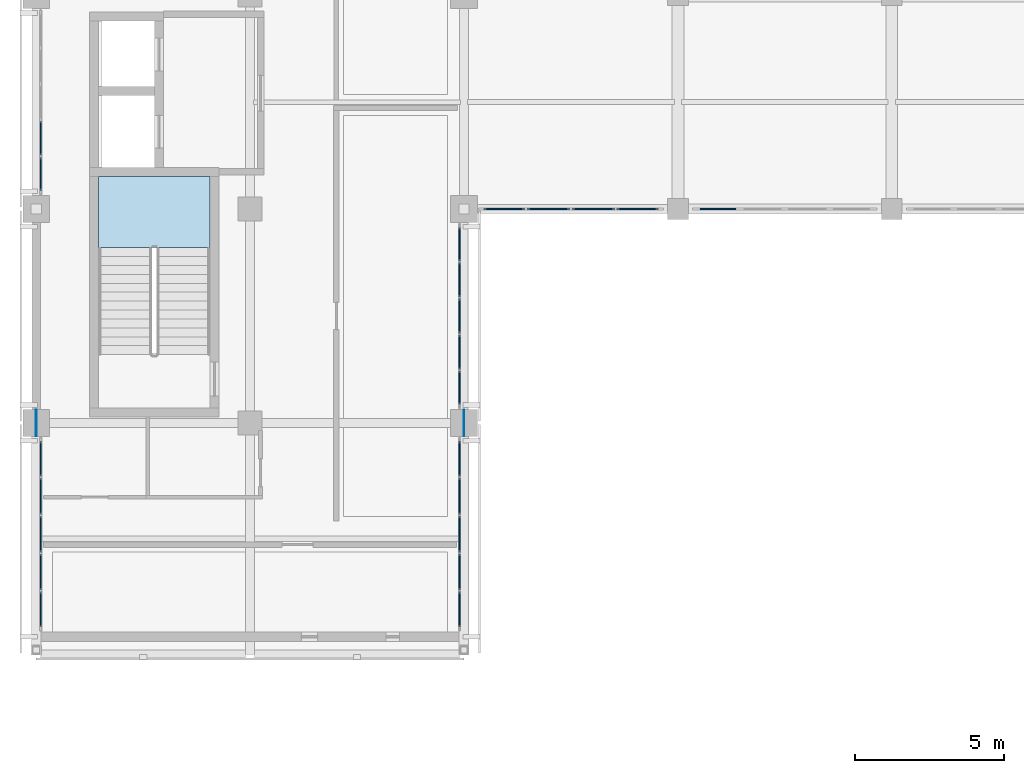
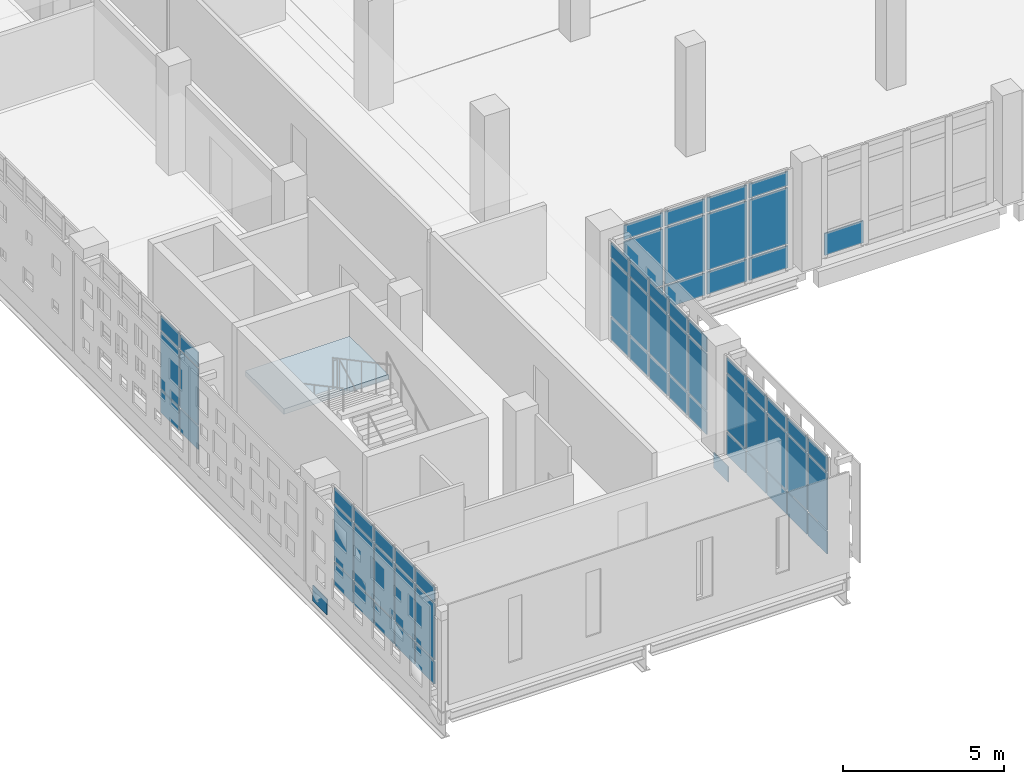
# One storey, part 27 of 62: 66 plates, 1 slab, 7 elements without a shape of their own.
"""IFC4 building model written with IfcOpenShell, lengths in metres."""

import ifcopenshell
import ifcopenshell.guid

model = None  # the IFC model being written
_history = None  # IfcOwnerHistory: only IFC2X3 demands one
_inside = {}  # id of a spatial element -> (the spatial element, [elements in it])
_under = {}  # id of a project, library or spatial element -> (it, [spatial elements below it])
_declared = {}  # id of a project -> (the project, [libraries it declares])
_typed = {}  # id of a type object -> (the type object, [elements of that type])
_made_of = {}  # id of a material, layer set ... -> (it, [elements and type objects made of it])


def new_model(schema):
    """Start an empty IFC model of exactly this schema.

    Asked for "IFC4X3", IfcOpenShell would pick the latest addendum, in which some entities
    have other attributes; the version numbers below select the first issue.
    IFC2X3 requires an IfcOwnerHistory on every rooted entity: one is made here for all.
    """
    global model, _history
    if schema == "IFC4X3":
        model = ifcopenshell.file(schema_version=(4, 3, 0, 0))
    else:
        model = ifcopenshell.file(schema=schema)
    _inside.clear()
    _under.clear()
    _declared.clear()
    _typed.clear()
    _made_of.clear()
    _history = None
    if model.schema == "IFC2X3":
        org = make("IfcOrganization", Name="unknown")
        user = make(
            "IfcPersonAndOrganization",
            ThePerson=make("IfcPerson", FamilyName="unknown"),
            TheOrganization=org,
        )
        app = make(
            "IfcApplication",
            ApplicationDeveloper=org,
            Version="unknown",
            ApplicationFullName="unknown",
            ApplicationIdentifier="unknown",
        )
        _history = make(
            "IfcOwnerHistory",
            OwningUser=user,
            OwningApplication=app,
            ChangeAction="ADDED",
            CreationDate=0,
        )
    return model


def make(cls, **values):
    """One entity of the class cls with the attributes given. An attribute that is None is left unset."""
    return model.create_entity(
        cls, **{name: value for name, value in values.items() if value is not None}
    )


def rooted(cls, **values):
    """An entity with a GlobalId (a new one), such as an element, a storey or a relation."""
    return make(cls, GlobalId=ifcopenshell.guid.new(), OwnerHistory=_history, **values)


def si_unit(unit_type, name, prefix=None):
    """IfcSIUnit, for example si_unit("LENGTHUNIT", "METRE", prefix="MILLI")."""
    return make("IfcSIUnit", UnitType=unit_type, Prefix=prefix, Name=name)


def assignment(units):
    """IfcUnitAssignment: the units of a project."""
    return None if units is None else make("IfcUnitAssignment", Units=units)


def point(xyz):
    """IfcCartesianPoint."""
    return None if xyz is None else make("IfcCartesianPoint", Coordinates=xyz)


def direction(xyz):
    """IfcDirection."""
    return None if xyz is None else make("IfcDirection", DirectionRatios=xyz)


def frame(location, z_axis=None, x_axis=None):
    """IfcAxis2Placement3D, a coordinate frame: its origin and axes. An axis left out is left unset."""
    return make(
        "IfcAxis2Placement3D",
        Location=point(location),
        Axis=direction(z_axis),
        RefDirection=direction(x_axis),
    )


def frame_2d(location, x_axis=None):
    """IfcAxis2Placement2D, a coordinate frame in the plane: its origin and x axis."""
    return make(
        "IfcAxis2Placement2D", Location=point(location), RefDirection=direction(x_axis)
    )


def origin():
    """The frame at (0, 0, 0) with its axes left unset."""
    return frame((0.0, 0.0, 0.0))


def origin_2d():
    """The frame at (0, 0) in the plane with its x axis left unset."""
    return frame_2d((0.0, 0.0))


def place(relative_to, where):
    """IfcLocalPlacement: puts the frame where relative to a parent placement (None: the world)."""
    return make(
        "IfcLocalPlacement", PlacementRelTo=relative_to, RelativePlacement=where
    )


def context(
    kind, dimensions, precision=None, world=None, true_north=None, identifier=None
):
    """IfcGeometricRepresentationContext, for example the 3D "Model" context."""
    return make(
        "IfcGeometricRepresentationContext",
        ContextIdentifier=identifier,
        ContextType=kind,
        CoordinateSpaceDimension=dimensions,
        Precision=precision,
        WorldCoordinateSystem=world,
        TrueNorth=true_north,
    )


def subcontext(parent, identifier, kind, view, scale=None):
    """IfcGeometricRepresentationSubContext, for example "Body" below "Model"."""
    return make(
        "IfcGeometricRepresentationSubContext",
        ContextIdentifier=identifier,
        ContextType=kind,
        ParentContext=parent,
        TargetScale=scale,
        TargetView=view,
    )


def project(units=None, contexts=None):
    """IfcProject with its units and contexts."""
    return rooted(
        "IfcProject",
        Name="project",
        RepresentationContexts=contexts,
        UnitsInContext=assignment(units),
    )


def spatial(cls, under=None, at=None, **own):
    """A site, building, storey or space (cls), placed at a placement, below another one or the project."""
    s = rooted(cls, ObjectPlacement=at, **own)
    if under is not None:
        _under.setdefault(under.id(), (under, []))[1].append(s)
    return s


def polyline(points):
    """IfcPolyline through the points."""
    return make("IfcPolyline", Points=[point(p) for p in points])


def profile(cls, at=None, kind="AREA", **sizes):
    """A parametric profile (cls). Its sizes go by their IFC names, for example OverallWidth=200.0."""
    return make(cls, ProfileType=kind, Position=at, **sizes)


def rectangle(**sizes):
    """IfcRectangleProfileDef."""
    return profile("IfcRectangleProfileDef", **sizes)


def outline(outer, holes=None, kind="AREA"):
    """IfcArbitraryClosedProfileDef: a profile drawn as a closed curve; with holes, ...WithVoids."""
    if holes is None:
        return make("IfcArbitraryClosedProfileDef", ProfileType=kind, OuterCurve=outer)
    return make(
        "IfcArbitraryProfileDefWithVoids",
        ProfileType=kind,
        OuterCurve=outer,
        InnerCurves=holes,
    )


def extrude(swept, where, along, depth):
    """IfcExtrudedAreaSolid: the profile swept, set in the frame where, extruded along a direction by depth."""
    return make(
        "IfcExtrudedAreaSolid",
        SweptArea=swept,
        Position=where,
        ExtrudedDirection=direction(along),
        Depth=depth,
    )


def shape(context_of_items, identifier, shape_type, items):
    """IfcShapeRepresentation: the items that make up one representation, for example the "Body"."""
    return make(
        "IfcShapeRepresentation",
        ContextOfItems=context_of_items,
        RepresentationIdentifier=identifier,
        RepresentationType=shape_type,
        Items=items,
    )


def material(Name=None, Category=None):
    """IfcMaterial."""
    return make("IfcMaterial", Name=Name, Category=Category)


def layer(
    of_material, thickness, ventilated=None, Name=None, Category=None, Priority=None
):
    """IfcMaterialLayer: one layer of a wall or slab, of a material (None: an air gap)."""
    return make(
        "IfcMaterialLayer",
        Material=of_material,
        LayerThickness=thickness,
        IsVentilated=ventilated,
        Name=Name,
        Category=Category,
        Priority=Priority,
    )


def layer_set(layers, Name=None):
    """IfcMaterialLayerSet."""
    return make("IfcMaterialLayerSet", MaterialLayers=layers, LayerSetName=Name)


def made_of(thing, what):
    """Note that an element or type object is made of a material, layer set ...; save() writes the relation."""
    if what is not None:
        _made_of.setdefault(what.id(), (what, []))[1].append(thing)
    return thing


def type_object(cls, material=None, **own):
    """A type object (cls), such as IfcWallType, which elements share."""
    return made_of(rooted(cls, **own), material)


def element(
    cls,
    number,
    at=None,
    inside=None,
    cuts=None,
    type_object=None,
    material=None,
    context=None,
    identifier="Body",
    shape_type=None,
    held_by="IfcProductDefinitionShape",
    body=None,
    shapes=None,
    **own,
):
    """One element of the class cls, such as IfcWall. Its Tag is "e" and its number.

    at: its placement. inside: the storey or other place that contains it. cuts: it is an
    opening in that element (IfcRelVoidsElement). A single representation is given by context,
    identifier, shape_type and body (its items); several are given by shapes. held_by: the class
    of the entity that holds the representations. save() writes the other relations.
    """
    e = rooted(cls, Tag="e%d" % number, ObjectPlacement=at, **own)
    if body is not None:
        shapes = [shape(context, identifier, shape_type, body)]
    if shapes is not None:
        e.Representation = make(held_by, Representations=shapes)
    if inside is not None:
        _inside.setdefault(inside.id(), (inside, []))[1].append(e)
    if cuts is not None:
        rooted(
            "IfcRelVoidsElement", RelatingBuildingElement=cuts, RelatedOpeningElement=e
        )
    if type_object is not None:
        _typed.setdefault(type_object.id(), (type_object, []))[1].append(e)
    return made_of(e, material)


def aggregate(whole, parts):
    """IfcRelAggregates: a whole, such as a stair, and the parts it consists of."""
    return rooted("IfcRelAggregates", RelatingObject=whole, RelatedObjects=parts)


def save(model, path):
    """Write the relations noted so far, then the file.

    IfcRelAggregates (storeys below a building ...), IfcRelContainedInSpatialStructure (elements
    in a storey), IfcRelDefinesByType, IfcRelAssociatesMaterial and IfcRelDeclares: one each for
    every whole, place, type object, material and project.
    """
    for whole, parts in _under.values():
        aggregate(whole, parts)
    for where, things in _inside.values():
        rooted(
            "IfcRelContainedInSpatialStructure",
            RelatedElements=things,
            RelatingStructure=where,
        )
    for kind, things in _typed.values():
        rooted("IfcRelDefinesByType", RelatedObjects=things, RelatingType=kind)
    for what, things in _made_of.values():
        rooted("IfcRelAssociatesMaterial", RelatedObjects=things, RelatingMaterial=what)
    for by, libraries in _declared.values():
        rooted("IfcRelDeclares", RelatingContext=by, RelatedDefinitions=libraries)
    model.write(path)


model = new_model("IFC4")

# Units and contexts
model_context = context("Model", 3, precision=1e-05, world=origin(), true_north=direction((0.0, 1.0)))
body_context = subcontext(model_context, "Body", "Model", "MODEL_VIEW")
ifc_project = project(units=[si_unit("LENGTHUNIT", "METRE"), si_unit("AREAUNIT", "SQUARE_METRE"), si_unit("VOLUMEUNIT", "CUBIC_METRE"), si_unit("PLANEANGLEUNIT", "RADIAN"), si_unit("MASSUNIT", "GRAM", prefix="KILO")], contexts=[model_context])

# Site, building, storey
site_placement = place(None, origin())
site = spatial("IfcSite", under=ifc_project, at=site_placement, CompositionType="ELEMENT")
building_placement = place(site_placement, origin())
building = spatial("IfcBuilding", under=site, at=building_placement, Name="Valkovuoma Quantum and Materials Research Institute", CompositionType="ELEMENT")
storey_placement = place(building_placement, frame((0.0, 0.0, 8.9599609375)))
storey = spatial("IfcBuildingStorey", under=building, at=storey_placement, Name="L02", CompositionType="ELEMENT", Elevation=8.9599609375)

# Curtain wall, plates
ifc_material_1 = material(Name="Thermally broken aluminium and triple low-E glazing", Category="aluminium")
ifc_layer_1 = layer(ifc_material_1, 0.219970703125)
ifc_layer_set_1 = layer_set([ifc_layer_1], Name="Thermally broken aluminium and triple low-E glazing")
curtain_wall_type_1 = type_object("IfcCurtainWallType", Name="CW-CW-01", PredefinedType="NOTDEFINED", material=ifc_layer_set_1)
curtain_wall_1_placement = place(storey_placement, origin())
curtain_wall_1 = element("IfcCurtainWall", 1, at=curtain_wall_1_placement, inside=storey, type_object=curtain_wall_type_1, Name="L02 curtain wall 018", PredefinedType="NOTDEFINED")
ifc_material_2 = material(Name="Triple low-E argon insulating glass", Category="glass")
ifc_layer_2 = layer(ifc_material_2, 0.035888671875)
ifc_layer_set_2 = layer_set([ifc_layer_2], Name="Triple low-E argon insulating glass")
plate_type_1 = type_object("IfcPlateType", Name="CWPanel-CWP-01", PredefinedType="CURTAIN_PANEL", material=ifc_layer_set_2)
plate_1_placement = place(storey_placement, frame((0.14990234375, 22.521728515625, 0.06494140625), z_axis=(0.0, 0.0, 1.0), x_axis=(0.0, 1.0, 0.0)))
plate_1 = element("IfcPlate", 2, at=plate_1_placement, type_object=plate_type_1, Name="CW-01 panel 1.1", PredefinedType="CURTAIN_PANEL", context=body_context, shape_type="SweptSolid", body=[
    extrude(rectangle(XDim=1.177490234375, YDim=0.035888671875, at=origin_2d()), origin(), (0.0, 0.0, 1.0), 0.8525390625),
])
plate_2_placement = place(storey_placement, frame((0.14990234375, 22.521728515625, 0.982421875), z_axis=(0.0, 0.0, 1.0), x_axis=(0.0, 1.0, 0.0)))
plate_2 = element("IfcPlate", 3, at=plate_2_placement, type_object=plate_type_1, Name="CW-01 panel 1.2", PredefinedType="CURTAIN_PANEL", context=body_context, shape_type="SweptSolid", body=[
    extrude(rectangle(XDim=1.177490234375, YDim=0.035888671875, at=origin_2d()), origin(), (0.0, 0.0, 1.0), 2.14501953125),
])
plate_3_placement = place(storey_placement, frame((0.14990234375, 22.521728515625, 3.1923828125), z_axis=(0.0, 0.0, 1.0), x_axis=(0.0, 1.0, 0.0)))
plate_3 = element("IfcPlate", 4, at=plate_3_placement, type_object=plate_type_1, Name="CW-01 panel 1.3", PredefinedType="CURTAIN_PANEL", context=body_context, shape_type="SweptSolid", body=[
    extrude(rectangle(XDim=1.177490234375, YDim=0.035888671875, at=origin_2d()), origin(), (0.0, 0.0, 1.0), 0.552490234375),
])
plate_4_placement = place(storey_placement, frame((0.14990234375, 23.780517578125, 0.06494140625), z_axis=(0.0, 0.0, 1.0), x_axis=(0.0, 1.0, 0.0)))
plate_4 = element("IfcPlate", 5, at=plate_4_placement, type_object=plate_type_1, Name="CW-01 panel 2.1", PredefinedType="CURTAIN_PANEL", context=body_context, shape_type="SweptSolid", body=[
    extrude(rectangle(XDim=1.2099609375, YDim=0.035888671875, at=origin_2d()), origin(), (0.0, 0.0, 1.0), 0.8525390625),
])
plate_5_placement = place(storey_placement, frame((0.14990234375, 23.780517578125, 0.982421875), z_axis=(0.0, 0.0, 1.0), x_axis=(0.0, 1.0, 0.0)))
plate_5 = element("IfcPlate", 6, at=plate_5_placement, type_object=plate_type_1, Name="CW-01 panel 2.2", PredefinedType="CURTAIN_PANEL", context=body_context, shape_type="SweptSolid", body=[
    extrude(rectangle(XDim=1.2099609375, YDim=0.035888671875, at=origin_2d()), origin(), (0.0, 0.0, 1.0), 2.14501953125),
])
plate_6_placement = place(storey_placement, frame((0.14990234375, 23.780517578125, 3.1923828125), z_axis=(0.0, 0.0, 1.0), x_axis=(0.0, 1.0, 0.0)))
plate_6 = element("IfcPlate", 7, at=plate_6_placement, type_object=plate_type_1, Name="CW-01 panel 2.3", PredefinedType="CURTAIN_PANEL", context=body_context, shape_type="SweptSolid", body=[
    extrude(rectangle(XDim=1.2099609375, YDim=0.035888671875, at=origin_2d()), origin(), (0.0, 0.0, 1.0), 0.552490234375),
])
plate_7_placement = place(storey_placement, frame((0.14990234375, 25.055419921875, 0.06494140625), z_axis=(0.0, 0.0, 1.0), x_axis=(0.0, 1.0, 0.0)))
plate_7 = element("IfcPlate", 8, at=plate_7_placement, type_object=plate_type_1, Name="CW-01 panel 3.1", PredefinedType="CURTAIN_PANEL", context=body_context, shape_type="SweptSolid", body=[
    extrude(rectangle(XDim=1.2099609375, YDim=0.035888671875, at=origin_2d()), origin(), (0.0, 0.0, 1.0), 0.8525390625),
])
plate_8_placement = place(storey_placement, frame((0.14990234375, 25.055419921875, 0.982421875), z_axis=(0.0, 0.0, 1.0), x_axis=(0.0, 1.0, 0.0)))
plate_8 = element("IfcPlate", 9, at=plate_8_placement, type_object=plate_type_1, Name="CW-01 panel 3.2", PredefinedType="CURTAIN_PANEL", context=body_context, shape_type="SweptSolid", body=[
    extrude(rectangle(XDim=1.2099609375, YDim=0.035888671875, at=origin_2d()), origin(), (0.0, 0.0, 1.0), 2.14501953125),
])
plate_9_placement = place(storey_placement, frame((0.14990234375, 25.055419921875, 3.1923828125), z_axis=(0.0, 0.0, 1.0), x_axis=(0.0, 1.0, 0.0)))
plate_9 = element("IfcPlate", 10, at=plate_9_placement, type_object=plate_type_1, Name="CW-01 panel 3.3", PredefinedType="CURTAIN_PANEL", context=body_context, shape_type="SweptSolid", body=[
    extrude(rectangle(XDim=1.2099609375, YDim=0.035888671875, at=origin_2d()), origin(), (0.0, 0.0, 1.0), 0.552490234375),
])
plate_10_placement = place(storey_placement, frame((0.14990234375, 26.330322265625, 0.06494140625), z_axis=(0.0, 0.0, 1.0), x_axis=(0.0, 1.0, 0.0)))
plate_10 = element("IfcPlate", 11, at=plate_10_placement, type_object=plate_type_1, Name="CW-01 panel 4.1", PredefinedType="CURTAIN_PANEL", context=body_context, shape_type="SweptSolid", body=[
    extrude(rectangle(XDim=1.2099609375, YDim=0.035888671875, at=origin_2d()), origin(), (0.0, 0.0, 1.0), 0.8525390625),
])
plate_11_placement = place(storey_placement, frame((0.14990234375, 26.330322265625, 0.982421875), z_axis=(0.0, 0.0, 1.0), x_axis=(0.0, 1.0, 0.0)))
plate_11 = element("IfcPlate", 12, at=plate_11_placement, type_object=plate_type_1, Name="CW-01 panel 4.2", PredefinedType="CURTAIN_PANEL", context=body_context, shape_type="SweptSolid", body=[
    extrude(rectangle(XDim=1.2099609375, YDim=0.035888671875, at=origin_2d()), origin(), (0.0, 0.0, 1.0), 2.14501953125),
])
plate_12_placement = place(storey_placement, frame((0.14990234375, 26.330322265625, 3.1923828125), z_axis=(0.0, 0.0, 1.0), x_axis=(0.0, 1.0, 0.0)))
plate_12 = element("IfcPlate", 13, at=plate_12_placement, type_object=plate_type_1, Name="CW-01 panel 4.3", PredefinedType="CURTAIN_PANEL", context=body_context, shape_type="SweptSolid", body=[
    extrude(rectangle(XDim=1.2099609375, YDim=0.035888671875, at=origin_2d()), origin(), (0.0, 0.0, 1.0), 0.552490234375),
])
plate_13_placement = place(storey_placement, frame((0.14990234375, 27.589111328125, 0.06494140625), z_axis=(0.0, 0.0, 1.0), x_axis=(0.0, 1.0, 0.0)))
plate_13 = element("IfcPlate", 14, at=plate_13_placement, type_object=plate_type_1, Name="CW-01 panel 5.1", PredefinedType="CURTAIN_PANEL", context=body_context, shape_type="SweptSolid", body=[
    extrude(rectangle(XDim=1.177490234375, YDim=0.035888671875, at=origin_2d()), origin(), (0.0, 0.0, 1.0), 0.8525390625),
])
plate_14_placement = place(storey_placement, frame((0.14990234375, 27.589111328125, 0.982421875), z_axis=(0.0, 0.0, 1.0), x_axis=(0.0, 1.0, 0.0)))
plate_14 = element("IfcPlate", 15, at=plate_14_placement, type_object=plate_type_1, Name="CW-01 panel 5.2", PredefinedType="CURTAIN_PANEL", context=body_context, shape_type="SweptSolid", body=[
    extrude(rectangle(XDim=1.177490234375, YDim=0.035888671875, at=origin_2d()), origin(), (0.0, 0.0, 1.0), 2.14501953125),
])
plate_15_placement = place(storey_placement, frame((0.14990234375, 27.589111328125, 3.1923828125), z_axis=(0.0, 0.0, 1.0), x_axis=(0.0, 1.0, 0.0)))
plate_15 = element("IfcPlate", 16, at=plate_15_placement, type_object=plate_type_1, Name="CW-01 panel 5.3", PredefinedType="CURTAIN_PANEL", context=body_context, shape_type="SweptSolid", body=[
    extrude(rectangle(XDim=1.177490234375, YDim=0.035888671875, at=origin_2d()), origin(), (0.0, 0.0, 1.0), 0.552490234375),
])
aggregate(curtain_wall_1, [plate_1, plate_2, plate_3, plate_4, plate_5, plate_6, plate_7, plate_8, plate_9, plate_10, plate_11, plate_12, plate_13, plate_14, plate_15])

curtain_wall_2_placement = place(storey_placement, origin())
curtain_wall_2 = element("IfcCurtainWall", 17, at=curtain_wall_2_placement, inside=storey, type_object=curtain_wall_type_1, Name="L02 curtain wall 021", PredefinedType="NOTDEFINED")
plate_16_placement = place(storey_placement, frame((0.14990234375, 37.181884765625, 0.06494140625), z_axis=(0.0, 0.0, 1.0), x_axis=(0.0, 1.0, 0.0)))
plate_16 = element("IfcPlate", 18, at=plate_16_placement, type_object=plate_type_1, Name="CW-01 panel 1.1", PredefinedType="CURTAIN_PANEL", context=body_context, shape_type="SweptSolid", body=[
    extrude(rectangle(XDim=1.11962890625, YDim=0.035888671875, at=origin_2d()), origin(), (0.0, 0.0, 1.0), 0.8525390625),
])
plate_17_placement = place(storey_placement, frame((0.14990234375, 37.181884765625, 0.982421875), z_axis=(0.0, 0.0, 1.0), x_axis=(0.0, 1.0, 0.0)))
plate_17 = element("IfcPlate", 19, at=plate_17_placement, type_object=plate_type_1, Name="CW-01 panel 1.2", PredefinedType="CURTAIN_PANEL", context=body_context, shape_type="SweptSolid", body=[
    extrude(rectangle(XDim=1.11962890625, YDim=0.035888671875, at=origin_2d()), origin(), (0.0, 0.0, 1.0), 2.14501953125),
])
plate_18_placement = place(storey_placement, frame((0.14990234375, 37.181884765625, 3.1923828125), z_axis=(0.0, 0.0, 1.0), x_axis=(0.0, 1.0, 0.0)))
plate_18 = element("IfcPlate", 20, at=plate_18_placement, type_object=plate_type_1, Name="CW-01 panel 1.3", PredefinedType="CURTAIN_PANEL", context=body_context, shape_type="SweptSolid", body=[
    extrude(rectangle(XDim=1.11962890625, YDim=0.035888671875, at=origin_2d()), origin(), (0.0, 0.0, 1.0), 0.552490234375),
])
plate_19_placement = place(storey_placement, frame((0.14990234375, 38.3828125, 0.06494140625), z_axis=(0.0, 0.0, 1.0), x_axis=(0.0, 1.0, 0.0)))
plate_19 = element("IfcPlate", 21, at=plate_19_placement, type_object=plate_type_1, Name="CW-01 panel 2.1", PredefinedType="CURTAIN_PANEL", context=body_context, shape_type="SweptSolid", body=[
    extrude(rectangle(XDim=1.152099609375, YDim=0.035888671875, at=origin_2d()), origin(), (0.0, 0.0, 1.0), 0.8525390625),
])
plate_20_placement = place(storey_placement, frame((0.14990234375, 38.3828125, 0.982421875), z_axis=(0.0, 0.0, 1.0), x_axis=(0.0, 1.0, 0.0)))
plate_20 = element("IfcPlate", 22, at=plate_20_placement, type_object=plate_type_1, Name="CW-01 panel 2.2", PredefinedType="CURTAIN_PANEL", context=body_context, shape_type="SweptSolid", body=[
    extrude(rectangle(XDim=1.152099609375, YDim=0.035888671875, at=origin_2d()), origin(), (0.0, 0.0, 1.0), 2.14501953125),
])
plate_21_placement = place(storey_placement, frame((0.14990234375, 38.3828125, 3.1923828125), z_axis=(0.0, 0.0, 1.0), x_axis=(0.0, 1.0, 0.0)))
plate_21 = element("IfcPlate", 23, at=plate_21_placement, type_object=plate_type_1, Name="CW-01 panel 2.3", PredefinedType="CURTAIN_PANEL", context=body_context, shape_type="SweptSolid", body=[
    extrude(rectangle(XDim=1.152099609375, YDim=0.035888671875, at=origin_2d()), origin(), (0.0, 0.0, 1.0), 0.552490234375),
])
aggregate(curtain_wall_2, [plate_16, plate_17, plate_18, plate_19, plate_20, plate_21])

curtain_wall_3_placement = place(storey_placement, origin())
curtain_wall_3 = element("IfcCurtainWall", 24, at=curtain_wall_3_placement, inside=storey, type_object=curtain_wall_type_1, Name="L02 curtain wall 019", PredefinedType="NOTDEFINED")
ifc_material_3 = material(Name="Triple low-E argon insulating glass", Category="glass")
ifc_layer_3 = layer(ifc_material_3, 0.0419921875)
ifc_layer_set_3 = layer_set([ifc_layer_3], Name="Triple low-E argon insulating glass")
plate_type_2 = type_object("IfcPlateType", Name="CWPanel-CWP-02", PredefinedType="CURTAIN_PANEL", material=ifc_layer_set_3)
plate_22_placement = place(storey_placement, frame((14.25, 22.521728515625, 0.06494140625), z_axis=(0.0, 0.0, 1.0), x_axis=(0.0, 1.0, 0.0)))
plate_22 = element("IfcPlate", 25, at=plate_22_placement, type_object=plate_type_2, Name="CW-01 panel 1.1", PredefinedType="CURTAIN_PANEL", context=body_context, shape_type="SweptSolid", body=[
    extrude(rectangle(XDim=1.177490234375, YDim=0.0419921875, at=origin_2d()), origin(), (0.0, 0.0, 1.0), 0.8525390625),
])
plate_23_placement = place(storey_placement, frame((14.25, 22.521728515625, 0.982421875), z_axis=(0.0, 0.0, 1.0), x_axis=(0.0, 1.0, 0.0)))
plate_23 = element("IfcPlate", 26, at=plate_23_placement, type_object=plate_type_2, Name="CW-01 panel 1.2", PredefinedType="CURTAIN_PANEL", context=body_context, shape_type="SweptSolid", body=[
    extrude(rectangle(XDim=1.177490234375, YDim=0.0419921875, at=origin_2d()), origin(), (0.0, 0.0, 1.0), 2.14501953125),
])
plate_24_placement = place(storey_placement, frame((14.25, 22.521728515625, 3.1923828125), z_axis=(0.0, 0.0, 1.0), x_axis=(0.0, 1.0, 0.0)))
plate_24 = element("IfcPlate", 27, at=plate_24_placement, type_object=plate_type_2, Name="CW-01 panel 1.3", PredefinedType="CURTAIN_PANEL", context=body_context, shape_type="SweptSolid", body=[
    extrude(rectangle(XDim=1.177490234375, YDim=0.0419921875, at=origin_2d()), origin(), (0.0, 0.0, 1.0), 0.552490234375),
])
plate_25_placement = place(storey_placement, frame((14.25, 23.780517578125, 0.06494140625), z_axis=(0.0, 0.0, 1.0), x_axis=(0.0, 1.0, 0.0)))
plate_25 = element("IfcPlate", 28, at=plate_25_placement, type_object=plate_type_2, Name="CW-01 panel 2.1", PredefinedType="CURTAIN_PANEL", context=body_context, shape_type="SweptSolid", body=[
    extrude(rectangle(XDim=1.2099609375, YDim=0.0419921875, at=origin_2d()), origin(), (0.0, 0.0, 1.0), 0.8525390625),
])
plate_26_placement = place(storey_placement, frame((14.25, 23.780517578125, 0.982421875), z_axis=(0.0, 0.0, 1.0), x_axis=(0.0, 1.0, 0.0)))
plate_26 = element("IfcPlate", 29, at=plate_26_placement, type_object=plate_type_2, Name="CW-01 panel 2.2", PredefinedType="CURTAIN_PANEL", context=body_context, shape_type="SweptSolid", body=[
    extrude(rectangle(XDim=1.2099609375, YDim=0.0419921875, at=origin_2d()), origin(), (0.0, 0.0, 1.0), 2.14501953125),
])
plate_27_placement = place(storey_placement, frame((14.25, 23.780517578125, 3.1923828125), z_axis=(0.0, 0.0, 1.0), x_axis=(0.0, 1.0, 0.0)))
plate_27 = element("IfcPlate", 30, at=plate_27_placement, type_object=plate_type_2, Name="CW-01 panel 2.3", PredefinedType="CURTAIN_PANEL", context=body_context, shape_type="SweptSolid", body=[
    extrude(rectangle(XDim=1.2099609375, YDim=0.0419921875, at=origin_2d()), origin(), (0.0, 0.0, 1.0), 0.552490234375),
])
plate_28_placement = place(storey_placement, frame((14.25, 25.055419921875, 0.06494140625), z_axis=(0.0, 0.0, 1.0), x_axis=(0.0, 1.0, 0.0)))
plate_28 = element("IfcPlate", 31, at=plate_28_placement, type_object=plate_type_2, Name="CW-01 panel 3.1", PredefinedType="CURTAIN_PANEL", context=body_context, shape_type="SweptSolid", body=[
    extrude(rectangle(XDim=1.2099609375, YDim=0.0419921875, at=origin_2d()), origin(), (0.0, 0.0, 1.0), 0.8525390625),
])
plate_29_placement = place(storey_placement, frame((14.25, 25.055419921875, 0.982421875), z_axis=(0.0, 0.0, 1.0), x_axis=(0.0, 1.0, 0.0)))
plate_29 = element("IfcPlate", 32, at=plate_29_placement, type_object=plate_type_2, Name="CW-01 panel 3.2", PredefinedType="CURTAIN_PANEL", context=body_context, shape_type="SweptSolid", body=[
    extrude(rectangle(XDim=1.2099609375, YDim=0.0419921875, at=origin_2d()), origin(), (0.0, 0.0, 1.0), 2.14501953125),
])
plate_30_placement = place(storey_placement, frame((14.25, 25.055419921875, 3.1923828125), z_axis=(0.0, 0.0, 1.0), x_axis=(0.0, 1.0, 0.0)))
plate_30 = element("IfcPlate", 33, at=plate_30_placement, type_object=plate_type_2, Name="CW-01 panel 3.3", PredefinedType="CURTAIN_PANEL", context=body_context, shape_type="SweptSolid", body=[
    extrude(rectangle(XDim=1.2099609375, YDim=0.0419921875, at=origin_2d()), origin(), (0.0, 0.0, 1.0), 0.552490234375),
])
plate_31_placement = place(storey_placement, frame((14.25, 26.330322265625, 0.06494140625), z_axis=(0.0, 0.0, 1.0), x_axis=(0.0, 1.0, 0.0)))
plate_31 = element("IfcPlate", 34, at=plate_31_placement, type_object=plate_type_2, Name="CW-01 panel 4.1", PredefinedType="CURTAIN_PANEL", context=body_context, shape_type="SweptSolid", body=[
    extrude(rectangle(XDim=1.2099609375, YDim=0.0419921875, at=origin_2d()), origin(), (0.0, 0.0, 1.0), 0.8525390625),
])
plate_32_placement = place(storey_placement, frame((14.25, 26.330322265625, 0.982421875), z_axis=(0.0, 0.0, 1.0), x_axis=(0.0, 1.0, 0.0)))
plate_32 = element("IfcPlate", 35, at=plate_32_placement, type_object=plate_type_2, Name="CW-01 panel 4.2", PredefinedType="CURTAIN_PANEL", context=body_context, shape_type="SweptSolid", body=[
    extrude(rectangle(XDim=1.2099609375, YDim=0.0419921875, at=origin_2d()), origin(), (0.0, 0.0, 1.0), 2.14501953125),
])
plate_33_placement = place(storey_placement, frame((14.25, 26.330322265625, 3.1923828125), z_axis=(0.0, 0.0, 1.0), x_axis=(0.0, 1.0, 0.0)))
plate_33 = element("IfcPlate", 36, at=plate_33_placement, type_object=plate_type_2, Name="CW-01 panel 4.3", PredefinedType="CURTAIN_PANEL", context=body_context, shape_type="SweptSolid", body=[
    extrude(rectangle(XDim=1.2099609375, YDim=0.0419921875, at=origin_2d()), origin(), (0.0, 0.0, 1.0), 0.552490234375),
])
plate_34_placement = place(storey_placement, frame((14.25, 27.589111328125, 0.06494140625), z_axis=(0.0, 0.0, 1.0), x_axis=(0.0, 1.0, 0.0)))
plate_34 = element("IfcPlate", 37, at=plate_34_placement, type_object=plate_type_2, Name="CW-01 panel 5.1", PredefinedType="CURTAIN_PANEL", context=body_context, shape_type="SweptSolid", body=[
    extrude(rectangle(XDim=1.177490234375, YDim=0.0419921875, at=origin_2d()), origin(), (0.0, 0.0, 1.0), 0.8525390625),
])
plate_35_placement = place(storey_placement, frame((14.25, 27.589111328125, 0.982421875), z_axis=(0.0, 0.0, 1.0), x_axis=(0.0, 1.0, 0.0)))
plate_35 = element("IfcPlate", 38, at=plate_35_placement, type_object=plate_type_2, Name="CW-01 panel 5.2", PredefinedType="CURTAIN_PANEL", context=body_context, shape_type="SweptSolid", body=[
    extrude(rectangle(XDim=1.177490234375, YDim=0.0419921875, at=origin_2d()), origin(), (0.0, 0.0, 1.0), 2.14501953125),
])
plate_36_placement = place(storey_placement, frame((14.25, 27.589111328125, 3.1923828125), z_axis=(0.0, 0.0, 1.0), x_axis=(0.0, 1.0, 0.0)))
plate_36 = element("IfcPlate", 39, at=plate_36_placement, type_object=plate_type_2, Name="CW-01 panel 5.3", PredefinedType="CURTAIN_PANEL", context=body_context, shape_type="SweptSolid", body=[
    extrude(rectangle(XDim=1.177490234375, YDim=0.0419921875, at=origin_2d()), origin(), (0.0, 0.0, 1.0), 0.552490234375),
])
aggregate(curtain_wall_3, [plate_22, plate_23, plate_24, plate_25, plate_26, plate_27, plate_28, plate_29, plate_30, plate_31, plate_32, plate_33, plate_34, plate_35, plate_36])

curtain_wall_4_placement = place(storey_placement, origin())
curtain_wall_4 = element("IfcCurtainWall", 40, at=curtain_wall_4_placement, inside=storey, type_object=curtain_wall_type_1, Name="L02 curtain wall 020", PredefinedType="NOTDEFINED")
plate_37_placement = place(storey_placement, frame((14.25, 29.98193359375, 0.06494140625), z_axis=(0.0, 0.0, 1.0), x_axis=(0.0, 1.0, 0.0)))
plate_37 = element("IfcPlate", 41, at=plate_37_placement, type_object=plate_type_2, Name="CW-01 panel 1.1", PredefinedType="CURTAIN_PANEL", context=body_context, shape_type="SweptSolid", body=[
    extrude(rectangle(XDim=1.11962890625, YDim=0.0419921875, at=origin_2d()), origin(), (0.0, 0.0, 1.0), 0.8525390625),
])
plate_38_placement = place(storey_placement, frame((14.25, 29.98193359375, 0.982421875), z_axis=(0.0, 0.0, 1.0), x_axis=(0.0, 1.0, 0.0)))
plate_38 = element("IfcPlate", 42, at=plate_38_placement, type_object=plate_type_2, Name="CW-01 panel 1.2", PredefinedType="CURTAIN_PANEL", context=body_context, shape_type="SweptSolid", body=[
    extrude(rectangle(XDim=1.11962890625, YDim=0.0419921875, at=origin_2d()), origin(), (0.0, 0.0, 1.0), 2.14501953125),
])
plate_39_placement = place(storey_placement, frame((14.25, 29.98193359375, 3.1923828125), z_axis=(0.0, 0.0, 1.0), x_axis=(0.0, 1.0, 0.0)))
plate_39 = element("IfcPlate", 43, at=plate_39_placement, type_object=plate_type_2, Name="CW-01 panel 1.3", PredefinedType="CURTAIN_PANEL", context=body_context, shape_type="SweptSolid", body=[
    extrude(rectangle(XDim=1.11962890625, YDim=0.0419921875, at=origin_2d()), origin(), (0.0, 0.0, 1.0), 0.552490234375),
])
plate_40_placement = place(storey_placement, frame((14.25, 31.182861328125, 0.06494140625), z_axis=(0.0, 0.0, 1.0), x_axis=(0.0, 1.0, 0.0)))
plate_40 = element("IfcPlate", 44, at=plate_40_placement, type_object=plate_type_2, Name="CW-01 panel 2.1", PredefinedType="CURTAIN_PANEL", context=body_context, shape_type="SweptSolid", body=[
    extrude(rectangle(XDim=1.152099609375, YDim=0.0419921875, at=origin_2d()), origin(), (0.0, 0.0, 1.0), 0.8525390625),
])
plate_41_placement = place(storey_placement, frame((14.25, 31.182861328125, 0.982421875), z_axis=(0.0, 0.0, 1.0), x_axis=(0.0, 1.0, 0.0)))
plate_41 = element("IfcPlate", 45, at=plate_41_placement, type_object=plate_type_2, Name="CW-01 panel 2.2", PredefinedType="CURTAIN_PANEL", context=body_context, shape_type="SweptSolid", body=[
    extrude(rectangle(XDim=1.152099609375, YDim=0.0419921875, at=origin_2d()), origin(), (0.0, 0.0, 1.0), 2.14501953125),
])
plate_42_placement = place(storey_placement, frame((14.25, 31.182861328125, 3.1923828125), z_axis=(0.0, 0.0, 1.0), x_axis=(0.0, 1.0, 0.0)))
plate_42 = element("IfcPlate", 46, at=plate_42_placement, type_object=plate_type_2, Name="CW-01 panel 2.3", PredefinedType="CURTAIN_PANEL", context=body_context, shape_type="SweptSolid", body=[
    extrude(rectangle(XDim=1.152099609375, YDim=0.0419921875, at=origin_2d()), origin(), (0.0, 0.0, 1.0), 0.552490234375),
])
plate_43_placement = place(storey_placement, frame((14.25, 32.39990234375, 0.06494140625), z_axis=(0.0, 0.0, 1.0), x_axis=(0.0, 1.0, 0.0)))
plate_43 = element("IfcPlate", 47, at=plate_43_placement, type_object=plate_type_2, Name="CW-01 panel 3.1", PredefinedType="CURTAIN_PANEL", context=body_context, shape_type="SweptSolid", body=[
    extrude(rectangle(XDim=1.152099609375, YDim=0.0419921875, at=origin_2d()), origin(), (0.0, 0.0, 1.0), 0.8525390625),
])
plate_44_placement = place(storey_placement, frame((14.25, 32.39990234375, 0.982421875), z_axis=(0.0, 0.0, 1.0), x_axis=(0.0, 1.0, 0.0)))
plate_44 = element("IfcPlate", 48, at=plate_44_placement, type_object=plate_type_2, Name="CW-01 panel 3.2", PredefinedType="CURTAIN_PANEL", context=body_context, shape_type="SweptSolid", body=[
    extrude(rectangle(XDim=1.152099609375, YDim=0.0419921875, at=origin_2d()), origin(), (0.0, 0.0, 1.0), 2.14501953125),
])
plate_45_placement = place(storey_placement, frame((14.25, 32.39990234375, 3.1923828125), z_axis=(0.0, 0.0, 1.0), x_axis=(0.0, 1.0, 0.0)))
plate_45 = element("IfcPlate", 49, at=plate_45_placement, type_object=plate_type_2, Name="CW-01 panel 3.3", PredefinedType="CURTAIN_PANEL", context=body_context, shape_type="SweptSolid", body=[
    extrude(rectangle(XDim=1.152099609375, YDim=0.0419921875, at=origin_2d()), origin(), (0.0, 0.0, 1.0), 0.552490234375),
])
plate_46_placement = place(storey_placement, frame((14.25, 33.6171875, 0.06494140625), z_axis=(0.0, 0.0, 1.0), x_axis=(0.0, 1.0, 0.0)))
plate_46 = element("IfcPlate", 50, at=plate_46_placement, type_object=plate_type_2, Name="CW-01 panel 4.1", PredefinedType="CURTAIN_PANEL", context=body_context, shape_type="SweptSolid", body=[
    extrude(rectangle(XDim=1.152099609375, YDim=0.0419921875, at=origin_2d()), origin(), (0.0, 0.0, 1.0), 0.8525390625),
])
plate_47_placement = place(storey_placement, frame((14.25, 33.6171875, 0.982421875), z_axis=(0.0, 0.0, 1.0), x_axis=(0.0, 1.0, 0.0)))
plate_47 = element("IfcPlate", 51, at=plate_47_placement, type_object=plate_type_2, Name="CW-01 panel 4.2", PredefinedType="CURTAIN_PANEL", context=body_context, shape_type="SweptSolid", body=[
    extrude(rectangle(XDim=1.152099609375, YDim=0.0419921875, at=origin_2d()), origin(), (0.0, 0.0, 1.0), 2.14501953125),
])
plate_48_placement = place(storey_placement, frame((14.25, 33.6171875, 3.1923828125), z_axis=(0.0, 0.0, 1.0), x_axis=(0.0, 1.0, 0.0)))
plate_48 = element("IfcPlate", 52, at=plate_48_placement, type_object=plate_type_2, Name="CW-01 panel 4.3", PredefinedType="CURTAIN_PANEL", context=body_context, shape_type="SweptSolid", body=[
    extrude(rectangle(XDim=1.152099609375, YDim=0.0419921875, at=origin_2d()), origin(), (0.0, 0.0, 1.0), 0.552490234375),
])
plate_49_placement = place(storey_placement, frame((14.25, 34.818115234375, 0.06494140625), z_axis=(0.0, 0.0, 1.0), x_axis=(0.0, 1.0, 0.0)))
plate_49 = element("IfcPlate", 53, at=plate_49_placement, type_object=plate_type_2, Name="CW-01 panel 5.1", PredefinedType="CURTAIN_PANEL", context=body_context, shape_type="SweptSolid", body=[
    extrude(rectangle(XDim=1.11962890625, YDim=0.0419921875, at=origin_2d()), origin(), (0.0, 0.0, 1.0), 0.8525390625),
])
plate_50_placement = place(storey_placement, frame((14.25, 34.818115234375, 0.982421875), z_axis=(0.0, 0.0, 1.0), x_axis=(0.0, 1.0, 0.0)))
plate_50 = element("IfcPlate", 54, at=plate_50_placement, type_object=plate_type_2, Name="CW-01 panel 5.2", PredefinedType="CURTAIN_PANEL", context=body_context, shape_type="SweptSolid", body=[
    extrude(rectangle(XDim=1.11962890625, YDim=0.0419921875, at=origin_2d()), origin(), (0.0, 0.0, 1.0), 2.14501953125),
])
plate_51_placement = place(storey_placement, frame((14.25, 34.818115234375, 3.1923828125), z_axis=(0.0, 0.0, 1.0), x_axis=(0.0, 1.0, 0.0)))
plate_51 = element("IfcPlate", 55, at=plate_51_placement, type_object=plate_type_2, Name="CW-01 panel 5.3", PredefinedType="CURTAIN_PANEL", context=body_context, shape_type="SweptSolid", body=[
    extrude(rectangle(XDim=1.11962890625, YDim=0.0419921875, at=origin_2d()), origin(), (0.0, 0.0, 1.0), 0.552490234375),
])
aggregate(curtain_wall_4, [plate_37, plate_38, plate_39, plate_40, plate_41, plate_42, plate_43, plate_44, plate_45, plate_46, plate_47, plate_48, plate_49, plate_50, plate_51])

ifc_material_4 = material(Name="Thermally broken aluminium and triple low-E glazing", Category="aluminium")
ifc_layer_4 = layer(ifc_material_4, 0.219970703125)
ifc_layer_set_4 = layer_set([ifc_layer_4], Name="Thermally broken aluminium and triple low-E glazing")
curtain_wall_type_2 = type_object("IfcCurtainWallType", Name="CW-CW-02", PredefinedType="NOTDEFINED", material=ifc_layer_set_4)
curtain_wall_5_placement = place(storey_placement, origin())
curtain_wall_5 = element("IfcCurtainWall", 56, at=curtain_wall_5_placement, inside=storey, type_object=curtain_wall_type_2, Name="L02 curtain wall 179", PredefinedType="NOTDEFINED")
ifc_material_5 = material(Name="Triple low-E argon insulating glass", Category="glass")
ifc_layer_5 = layer(ifc_material_5, 0.048095703125)
ifc_layer_set_5 = layer_set([ifc_layer_5], Name="Triple low-E argon insulating glass")
plate_type_3 = type_object("IfcPlateType", Name="CWPanel-CWP-03", PredefinedType="CURTAIN_PANEL", material=ifc_layer_set_5)
plate_52_placement = place(storey_placement, frame((15.7548828125, 36.0, 0.0751953125), z_axis=(0.0, 0.0, 1.0), x_axis=(1.0, 0.0, 0.0)))
plate_52 = element("IfcPlate", 57, at=plate_52_placement, type_object=plate_type_3, Name="CW-02 panel 1.1", PredefinedType="CURTAIN_PANEL", context=body_context, shape_type="SweptSolid", body=[
    extrude(rectangle(XDim=1.389892578125, YDim=0.048095703125, at=origin_2d()), origin(), (0.0, 0.0, 1.0), 0.83740234375),
])
plate_53_placement = place(storey_placement, frame((15.7548828125, 36.0, 0.9873046875), z_axis=(0.0, 0.0, 1.0), x_axis=(1.0, 0.0, 0.0)))
plate_53 = element("IfcPlate", 58, at=plate_53_placement, type_object=plate_type_3, Name="CW-02 panel 1.2", PredefinedType="CURTAIN_PANEL", context=body_context, shape_type="SweptSolid", body=[
    extrude(rectangle(XDim=1.389892578125, YDim=0.048095703125, at=origin_2d()), origin(), (0.0, 0.0, 1.0), 2.135009765625),
])
plate_54_placement = place(storey_placement, frame((15.7548828125, 36.0, 3.197509765625), z_axis=(0.0, 0.0, 1.0), x_axis=(1.0, 0.0, 0.0)))
plate_54 = element("IfcPlate", 59, at=plate_54_placement, type_object=plate_type_3, Name="CW-02 panel 1.3", PredefinedType="CURTAIN_PANEL", context=body_context, shape_type="SweptSolid", body=[
    extrude(rectangle(XDim=1.389892578125, YDim=0.048095703125, at=origin_2d()), origin(), (0.0, 0.0, 1.0), 0.53759765625),
])
plate_55_placement = place(storey_placement, frame((17.2451171875, 36.0, 0.0751953125), z_axis=(0.0, 0.0, 1.0), x_axis=(1.0, 0.0, 0.0)))
plate_55 = element("IfcPlate", 60, at=plate_55_placement, type_object=plate_type_3, Name="CW-02 panel 2.1", PredefinedType="CURTAIN_PANEL", context=body_context, shape_type="SweptSolid", body=[
    extrude(rectangle(XDim=1.429931640625, YDim=0.048095703125, at=origin_2d()), origin(), (0.0, 0.0, 1.0), 0.83740234375),
])
plate_56_placement = place(storey_placement, frame((17.2451171875, 36.0, 0.9873046875), z_axis=(0.0, 0.0, 1.0), x_axis=(1.0, 0.0, 0.0)))
plate_56 = element("IfcPlate", 61, at=plate_56_placement, type_object=plate_type_3, Name="CW-02 panel 2.2", PredefinedType="CURTAIN_PANEL", context=body_context, shape_type="SweptSolid", body=[
    extrude(rectangle(XDim=1.429931640625, YDim=0.048095703125, at=origin_2d()), origin(), (0.0, 0.0, 1.0), 2.135009765625),
])
plate_57_placement = place(storey_placement, frame((17.2451171875, 36.0, 3.197509765625), z_axis=(0.0, 0.0, 1.0), x_axis=(1.0, 0.0, 0.0)))
plate_57 = element("IfcPlate", 62, at=plate_57_placement, type_object=plate_type_3, Name="CW-02 panel 2.3", PredefinedType="CURTAIN_PANEL", context=body_context, shape_type="SweptSolid", body=[
    extrude(rectangle(XDim=1.429931640625, YDim=0.048095703125, at=origin_2d()), origin(), (0.0, 0.0, 1.0), 0.53759765625),
])
plate_58_placement = place(storey_placement, frame((18.7548828125, 36.0, 0.0751953125), z_axis=(0.0, 0.0, 1.0), x_axis=(1.0, 0.0, 0.0)))
plate_58 = element("IfcPlate", 63, at=plate_58_placement, type_object=plate_type_3, Name="CW-02 panel 3.1", PredefinedType="CURTAIN_PANEL", context=body_context, shape_type="SweptSolid", body=[
    extrude(rectangle(XDim=1.429931640625, YDim=0.048095703125, at=origin_2d()), origin(), (0.0, 0.0, 1.0), 0.83740234375),
])
plate_59_placement = place(storey_placement, frame((18.7548828125, 36.0, 0.9873046875), z_axis=(0.0, 0.0, 1.0), x_axis=(1.0, 0.0, 0.0)))
plate_59 = element("IfcPlate", 64, at=plate_59_placement, type_object=plate_type_3, Name="CW-02 panel 3.2", PredefinedType="CURTAIN_PANEL", context=body_context, shape_type="SweptSolid", body=[
    extrude(rectangle(XDim=1.429931640625, YDim=0.048095703125, at=origin_2d()), origin(), (0.0, 0.0, 1.0), 2.135009765625),
])
plate_60_placement = place(storey_placement, frame((18.7548828125, 36.0, 3.197509765625), z_axis=(0.0, 0.0, 1.0), x_axis=(1.0, 0.0, 0.0)))
plate_60 = element("IfcPlate", 65, at=plate_60_placement, type_object=plate_type_3, Name="CW-02 panel 3.3", PredefinedType="CURTAIN_PANEL", context=body_context, shape_type="SweptSolid", body=[
    extrude(rectangle(XDim=1.429931640625, YDim=0.048095703125, at=origin_2d()), origin(), (0.0, 0.0, 1.0), 0.53759765625),
])
plate_61_placement = place(storey_placement, frame((20.2451171875, 36.0, 0.0751953125), z_axis=(0.0, 0.0, 1.0), x_axis=(1.0, 0.0, 0.0)))
plate_61 = element("IfcPlate", 66, at=plate_61_placement, type_object=plate_type_3, Name="CW-02 panel 4.1", PredefinedType="CURTAIN_PANEL", context=body_context, shape_type="SweptSolid", body=[
    extrude(rectangle(XDim=1.389892578125, YDim=0.048095703125, at=origin_2d()), origin(), (0.0, 0.0, 1.0), 0.83740234375),
])
plate_62_placement = place(storey_placement, frame((20.2451171875, 36.0, 0.9873046875), z_axis=(0.0, 0.0, 1.0), x_axis=(1.0, 0.0, 0.0)))
plate_62 = element("IfcPlate", 67, at=plate_62_placement, type_object=plate_type_3, Name="CW-02 panel 4.2", PredefinedType="CURTAIN_PANEL", context=body_context, shape_type="SweptSolid", body=[
    extrude(rectangle(XDim=1.389892578125, YDim=0.048095703125, at=origin_2d()), origin(), (0.0, 0.0, 1.0), 2.135009765625),
])
plate_63_placement = place(storey_placement, frame((20.2451171875, 36.0, 3.197509765625), z_axis=(0.0, 0.0, 1.0), x_axis=(1.0, 0.0, 0.0)))
plate_63 = element("IfcPlate", 68, at=plate_63_placement, type_object=plate_type_3, Name="CW-02 panel 4.3", PredefinedType="CURTAIN_PANEL", context=body_context, shape_type="SweptSolid", body=[
    extrude(rectangle(XDim=1.389892578125, YDim=0.048095703125, at=origin_2d()), origin(), (0.0, 0.0, 1.0), 0.53759765625),
])
aggregate(curtain_wall_5, [plate_52, plate_53, plate_54, plate_55, plate_56, plate_57, plate_58, plate_59, plate_60, plate_61, plate_62, plate_63])

# Curtain wall, plate
curtain_wall_6_placement = place(storey_placement, origin())
curtain_wall_6 = element("IfcCurtainWall", 69, at=curtain_wall_6_placement, inside=storey, type_object=curtain_wall_type_2, Name="L02 curtain wall 180", PredefinedType="NOTDEFINED")
plate_64_placement = place(storey_placement, frame((22.955078125, 36.0, 0.0751953125), z_axis=(0.0, 0.0, 1.0), x_axis=(1.0, 0.0, 0.0)))
plate_64 = element("IfcPlate", 70, at=plate_64_placement, type_object=plate_type_3, Name="CW-02 panel 1.1", PredefinedType="CURTAIN_PANEL", context=body_context, shape_type="SweptSolid", body=[
    extrude(rectangle(XDim=1.389892578125, YDim=0.048095703125, at=origin_2d()), origin(), (0.0, 0.0, 1.0), 0.83740234375),
])
aggregate(curtain_wall_6, [plate_64])

# Plates
ifc_material_6 = material(Name="Steel S355J2", Category="steel")
plate_type_4 = type_object("IfcPlateType", Name="Plate-PL-GUS3", PredefinedType="USERDEFINED", material=ifc_material_6)
for number, where, z_axis, x_axis, name in (
    (71, (0.0, 28.800048828125, -1.14990234375), (0.0, 0.0, 1.0), (0.0, 1.0, 0.0), "L02 cantilever gusset plate 0"),
    (72, (14.39990234375, 28.800048828125, -1.14990234375), (0.0, 0.0, 1.0), (0.0, 1.0, 0.0), "L02 cantilever gusset plate 1"),
):
    element("IfcPlate", number, at=place(storey_placement, frame(where, z_axis=z_axis, x_axis=x_axis)), inside=storey, type_object=plate_type_4, Name=name, ObjectType="GUSSET_PLATE", PredefinedType="USERDEFINED", context=body_context, shape_type="SweptSolid", body=[
        extrude(rectangle(XDim=0.89990234375, YDim=0.02490234375, at=origin_2d()), origin(), (0.0, 0.0, 1.0), 0.60009765625),
    ])

# Stair, slab
ifc_material_7 = material(Name="Concrete C40/50", Category="concrete")
stair_type = type_object("IfcStairType", Name="Stair-ST-COR", PredefinedType="HALF_TURN_STAIR", material=ifc_material_7)
stair_placement = place(storey_placement, origin())
stair = element("IfcStair", 73, at=stair_placement, inside=storey, type_object=stair_type, Name="L02 Exit Stair ST-1", PredefinedType="HALF_TURN_STAIR")
ifc_material_8 = material(Name="Concrete C40/50", Category="concrete")
ifc_layer_6 = layer(ifc_material_8, 0.199951171875)
ifc_layer_set_6 = layer_set([ifc_layer_6], Name="Concrete C40/50")
slab_type = type_object("IfcSlabType", Name="Slab-SL-LND200", PredefinedType="LANDING", material=ifc_layer_set_6)
slab_placement = place(storey_placement, frame((0.0, 0.0, 1.880126953125)))
slab = element("IfcSlab", 74, at=slab_placement, type_object=slab_type, Name="ST-1 landing 1", PredefinedType="LANDING", context=body_context, shape_type="SweptSolid", body=[
    extrude(outline(polyline([(5.85009765625, 34.699951171875), (5.85009765625, 37.10009765625), (2.10009765625, 37.10009765625), (2.10009765625, 34.699951171875), (5.85009765625, 34.699951171875)])), origin(), (0.0, 0.0, 1.0), 0.199951171875),
])
aggregate(stair, [slab])

save(model, "model.ifc")
